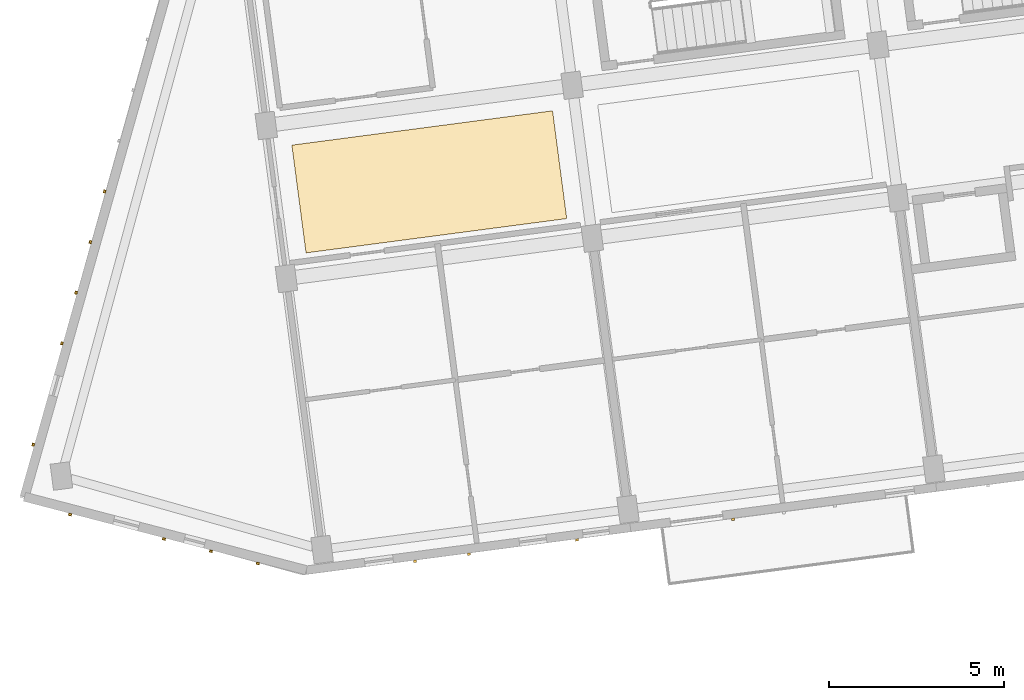
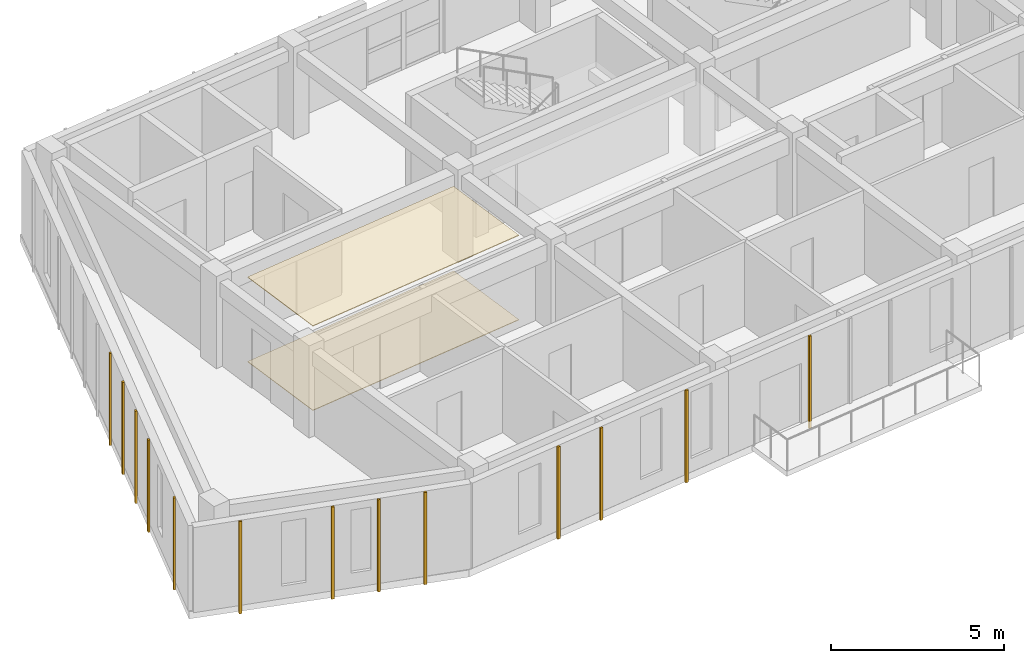
# One storey, part 40 of 64: 15 coverings.
"""IFC4 building model written with IfcOpenShell, lengths in metres."""

from ifc_helpers import new_model, si_unit, direction, frame, origin, origin_2d, place, context, subcontext, project, spatial, polyline, rectangle, outline, extrude, material, layer, layer_set, type_object, element, save


model = new_model("IFC4")

# Units and contexts
model_context = context("Model", 3, precision=1e-05, world=origin(), true_north=direction((0.0, 1.0)))
body_context = subcontext(model_context, "Body", "Model", "MODEL_VIEW")
ifc_project = project(units=[si_unit("LENGTHUNIT", "METRE"), si_unit("AREAUNIT", "SQUARE_METRE"), si_unit("VOLUMEUNIT", "CUBIC_METRE"), si_unit("PLANEANGLEUNIT", "RADIAN"), si_unit("MASSUNIT", "GRAM", prefix="KILO")], contexts=[model_context])

# Site, building, storey
site_placement = place(None, origin())
site = spatial("IfcSite", under=ifc_project, at=site_placement, CompositionType="ELEMENT")
building_placement = place(site_placement, origin())
building = spatial("IfcBuilding", under=site, at=building_placement, Name="Kestramere Prow Commons", CompositionType="ELEMENT")
storey_placement = place(building_placement, frame((0.0, 0.0, 24.64990234375)))
storey = spatial("IfcBuildingStorey", under=building, at=storey_placement, Name="L07", CompositionType="ELEMENT", Elevation=24.64990234375)

# Coverings
ifc_material_1 = material(Name="Mineral Fibre Acoustic Ceiling Tile")
ifc_layer_1 = layer(ifc_material_1, 0.02490234375)
ifc_layer_set_1 = layer_set([ifc_layer_1], Name="Mineral Fibre Acoustic Ceiling Tile")
covering_type_1 = type_object("IfcCoveringType", Name="COV-CEIL-ACOUSTIC", PredefinedType="CEILING", material=ifc_layer_set_1)
covering_1_placement = place(storey_placement, frame((0.0, 0.0, 2.97509765625)))
element("IfcCovering", 1, at=covering_1_placement, inside=storey, type_object=covering_type_1, Name="Block A L07 Corridor Acoustic Ceiling 1", PredefinedType="CEILING", context=body_context, shape_type="SweptSolid", body=[
    extrude(outline(polyline([(10.741455078125, 80.462646484375), (18.17724609375, 81.44140625), (17.772705078125, 84.514892578125), (10.3369140625, 83.5361328125), (10.741455078125, 80.462646484375)])), origin(), (0.0, 0.0, 1.0), 0.02490234375),
])
ifc_material_2 = material(Name="Weathered Zinc-Titanium Standing-Seam Cladding")
ifc_layer_2 = layer(ifc_material_2, 0.074951171875)
ifc_layer_set_2 = layer_set([ifc_layer_2], Name="Weathered Zinc-Titanium Standing-Seam Cladding")
covering_type_2 = type_object("IfcCoveringType", Name="COV-CLAD-SEAM", PredefinedType="CLADDING", material=ifc_layer_set_2)
for number, where, z_axis, x_axis, name in (
    (2, (18.47216796875, 72.274169921875, -0.25), (0.0, 0.0, 1.0), (-0.991444861374, -0.13052619222, 0.0), "EW-A-L07-S-0 Standing-Seam Rib 1"),
    (3, (15.390625, 71.868408203125, -0.25), (0.0, 0.0, 1.0), (-0.991444861374, -0.13052619222, 0.0), "EW-A-L07-S-0 Standing-Seam Rib 3"),
    (4, (13.849609375, 71.66552734375, -0.25), (0.0, 0.0, 1.0), (-0.991444861374, -0.13052619222, 0.0), "EW-A-L07-S-0 Standing-Seam Rib 4"),
    (5, (22.92138671875, 72.85986328125, -0.25), (0.0, 0.0, 1.0), (-0.991444861374, -0.13052619222, 0.0), "EW-A-L07-S-1 Standing-Seam Rib 4"),
    (6, (9.367431640625, 71.602783203125, -0.25), (0.0, 0.0, 1.0), (-0.96769817096, 0.252111582281, 0.0), "EW-A-L07-PRW-S Standing-Seam Rib 1"),
    (7, (8.028076171875, 71.95166015625, -0.25), (0.0, 0.0, 1.0), (-0.96769817096, 0.252111582281, 0.0), "EW-A-L07-PRW-S Standing-Seam Rib 2"),
    (8, (6.6884765625, 72.300537109375, -0.25), (0.0, 0.0, 1.0), (-0.96769817096, 0.252111582281, 0.0), "EW-A-L07-PRW-S Standing-Seam Rib 3"),
    (9, (4.009521484375, 72.99853515625, -0.25), (0.0, 0.0, 1.0), (-0.96769817096, 0.252111582281, 0.0), "EW-A-L07-PRW-S Standing-Seam Rib 5"),
    (10, (2.96142578125, 74.9931640625, -0.25), (0.0, 0.0, 1.0), (0.271159911526, 0.962534312314, 0.0), "EW-A-L07-PRW-N Standing-Seam Rib 1"),
    (11, (3.775146484375, 77.8818359375, -0.25), (0.0, 0.0, 1.0), (0.271159911526, 0.962534312314, 0.0), "EW-A-L07-PRW-N Standing-Seam Rib 3"),
    (12, (4.18212890625, 79.326171875, -0.25), (0.0, 0.0, 1.0), (0.271159911526, 0.962534312314, 0.0), "EW-A-L07-PRW-N Standing-Seam Rib 4"),
    (13, (4.5888671875, 80.7705078125, -0.25), (0.0, 0.0, 1.0), (0.271159911526, 0.962534312314, 0.0), "EW-A-L07-PRW-N Standing-Seam Rib 5"),
    (14, (4.995849609375, 82.21484375, -0.25), (0.0, 0.0, 1.0), (0.271159911526, 0.962534312314, 0.0), "EW-A-L07-PRW-N Standing-Seam Rib 6"),
):
    element("IfcCovering", number, at=place(storey_placement, frame(where, z_axis=z_axis, x_axis=x_axis)), inside=storey, type_object=covering_type_2, Name=name, PredefinedType="CLADDING", context=body_context, shape_type="SweptSolid", body=[
        extrude(rectangle(XDim=0.0849609375, YDim=0.06494140625, at=origin_2d()), origin(), (0.0, 0.0, 1.0), 3.25),
    ])
ifc_material_3 = material(Name="Honed Cementitious Terrazzo Tile")
ifc_layer_3 = layer(ifc_material_3, 0.02001953125)
ifc_layer_set_3 = layer_set([ifc_layer_3], Name="Honed Cementitious Terrazzo Tile")
covering_type_3 = type_object("IfcCoveringType", Name="COV-FLOOR-TERRAZZO", PredefinedType="FLOORING", material=ifc_layer_set_3)
covering_2_placement = place(storey_placement, origin())
element("IfcCovering", 15, at=covering_2_placement, inside=storey, type_object=covering_type_3, Name="Block A L07 Corridor Terrazzo Flooring 1", PredefinedType="FLOORING", context=body_context, shape_type="SweptSolid", body=[
    extrude(outline(polyline([(10.741455078125, 80.462646484375), (18.17724609375, 81.44140625), (17.772705078125, 84.514892578125), (10.3369140625, 83.5361328125), (10.741455078125, 80.462646484375)])), origin(), (0.0, 0.0, 1.0), 0.02001953125),
])

save(model, "model.ifc")
